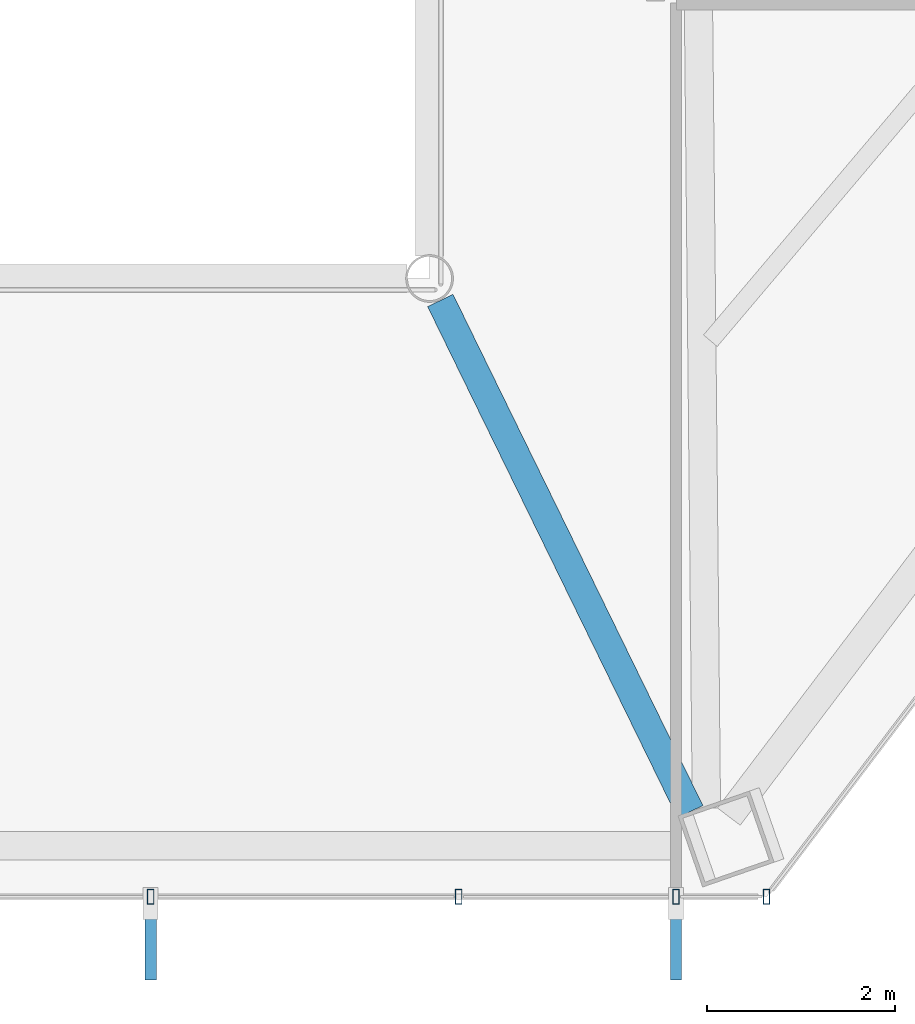
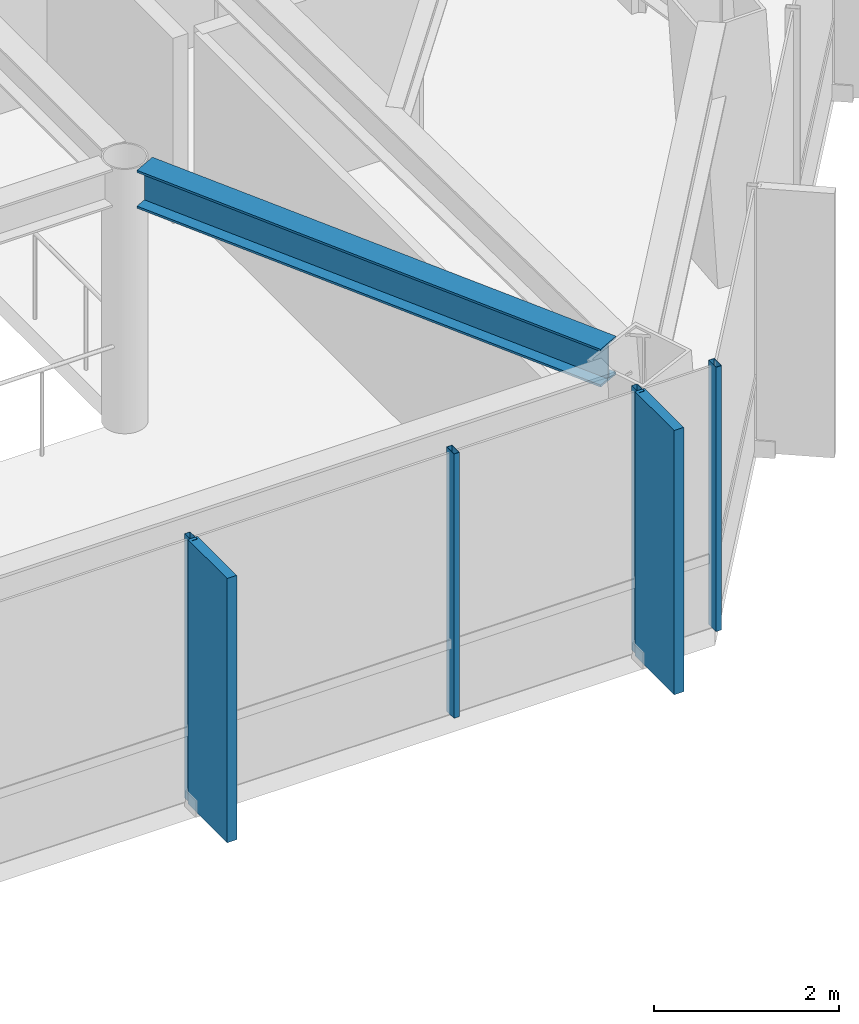
# One storey, part 8 of 28: 6 members, 1 beam, 1 element without a shape of its own.
"""IFC4 building model written with IfcOpenShell, lengths in metres."""

from ifc_helpers import new_model, si_unit, direction, frame, origin, origin_2d, place, context, subcontext, project, spatial, rectangle, hollow_rectangle, i_section, extrude, material, layer, layer_set, material_profile, profile_set, type_object, element, aggregate, save


model = new_model("IFC4")

# Units and contexts
model_context = context("Model", 3, precision=1e-05, world=origin(), true_north=direction((0.0, 1.0)))
body_context = subcontext(model_context, "Body", "Model", "MODEL_VIEW")
ifc_project = project(units=[si_unit("LENGTHUNIT", "METRE"), si_unit("AREAUNIT", "SQUARE_METRE"), si_unit("VOLUMEUNIT", "CUBIC_METRE"), si_unit("PLANEANGLEUNIT", "RADIAN"), si_unit("MASSUNIT", "GRAM", prefix="KILO")], contexts=[model_context])

# Site, building, storey
site_placement = place(None, origin())
site = spatial("IfcSite", under=ifc_project, at=site_placement, CompositionType="ELEMENT")
building_placement = place(site_placement, origin())
building = spatial("IfcBuilding", under=site, at=building_placement, Name="Zarrinselat Tower", CompositionType="ELEMENT")
storey_placement = place(building_placement, frame((0.0, 0.0, 153.340087890625)))
storey = spatial("IfcBuildingStorey", under=building, at=storey_placement, Name="L37", CompositionType="ELEMENT", Elevation=153.340087890625)

# Beam
ifc_material_1 = material(Name="Steel S355J2", Category="steel")
ifc_material_profile_1 = material_profile(ifc_material_1, i_section(OverallWidth=0.300048828125, OverallDepth=0.5, WebThickness=0.014404296875, FlangeThickness=0.028076171875, at=origin_2d()), Name="HEB 500")
ifc_profile_set_1 = profile_set([ifc_material_profile_1], Name="Steel S355J2")
beam_type = type_object("IfcBeamType", Name="BM-HEB500", PredefinedType="BEAM", material=ifc_profile_set_1)
beam_placement = place(storey_placement, frame((45.769287109375, 18.734619140625, 3.239990234375), z_axis=(-0.439135534001, 0.898420827217, 0.0), x_axis=(-0.898420827217, -0.439135534001, 0.0)))
element("IfcBeam", 1, at=beam_placement, inside=storey, type_object=beam_type, Name="L37 Sky Garden Terrace Girder 2", PredefinedType="BEAM", context=body_context, shape_type="SweptSolid", body=[
    extrude(i_section(OverallWidth=0.300048828125, OverallDepth=0.5, WebThickness=0.014404296875, FlangeThickness=0.028076171875, at=origin_2d()), origin(), (0.0, 0.0, 1.0), 6.046142578125),
])

# Curtain wall, members
ifc_material_2 = material(Name="Extruded Aluminium Alloy EN AW-6063 T6", Category="aluminium")
ifc_layer = layer(ifc_material_2, 0.175048828125)
ifc_layer_set = layer_set([ifc_layer], Name="Extruded Aluminium Alloy EN AW-6063 T6")
curtain_wall_type = type_object("IfcCurtainWallType", Name="CWS-HTL", PredefinedType="NOTDEFINED", material=ifc_layer_set)
curtain_wall_placement = place(storey_placement, origin())
curtain_wall = element("IfcCurtainWall", 2, at=curtain_wall_placement, inside=storey, type_object=curtain_wall_type, Name="L37 Unitised Curtain Wall CW-L37-E04", PredefinedType="NOTDEFINED")
ifc_material_3 = material(Name="Extruded Aluminium Alloy EN AW-6063 T6", Category="aluminium")
ifc_material_profile_2 = material_profile(ifc_material_3, hollow_rectangle(XDim=0.070068359375, YDim=0.159912109375, WallThickness=0.00390625, at=origin_2d()), Name="RHS 160x70x4")
ifc_profile_set_2 = profile_set([ifc_material_profile_2], Name="Extruded Aluminium Alloy EN AW-6063 T6")
member_type_1 = type_object("IfcMemberType", Name="MEM-CW-MUL2", PredefinedType="MULLION", material=ifc_profile_set_2)
member_1_placement = place(storey_placement, frame((40.0361328125, 17.83154296875, 0.0), z_axis=(0.0, 0.0, 1.0), x_axis=(1.0, 0.0, 0.0)))
member_1 = element("IfcMember", 3, at=member_1_placement, type_object=member_type_1, Name="CW-L37-E04 Mullion 3", PredefinedType="MULLION", context=body_context, shape_type="SweptSolid", body=[
    extrude(hollow_rectangle(XDim=0.070068359375, YDim=0.159912109375, WallThickness=0.00390625, at=origin_2d()), origin(), (0.0, 0.0, 1.0), 3.489990234375),
])
member_2_placement = place(storey_placement, frame((43.308349609375, 17.83154296875, 0.0), z_axis=(0.0, 0.0, 1.0), x_axis=(1.0, 0.0, 0.0)))
member_2 = element("IfcMember", 4, at=member_2_placement, type_object=member_type_1, Name="CW-L37-E04 Mullion 4", PredefinedType="MULLION", context=body_context, shape_type="SweptSolid", body=[
    extrude(hollow_rectangle(XDim=0.070068359375, YDim=0.159912109375, WallThickness=0.00390625, at=origin_2d()), origin(), (0.0, 0.0, 1.0), 3.489990234375),
])
member_3_placement = place(storey_placement, frame((45.61865234375, 17.83154296875, 0.0), z_axis=(0.0, 0.0, 1.0), x_axis=(1.0, 0.0, 0.0)))
member_3 = element("IfcMember", 5, at=member_3_placement, type_object=member_type_1, Name="CW-L37-E04 Mullion 5", PredefinedType="MULLION", context=body_context, shape_type="SweptSolid", body=[
    extrude(hollow_rectangle(XDim=0.070068359375, YDim=0.159912109375, WallThickness=0.00390625, at=origin_2d()), origin(), (0.0, 0.0, 1.0), 3.489990234375),
])
member_4_placement = place(storey_placement, frame((46.58056640625, 17.83154296875, 0.0), z_axis=(0.0, 0.0, 1.0), x_axis=(1.0, 0.0, 0.0)))
member_4 = element("IfcMember", 6, at=member_4_placement, type_object=member_type_1, Name="CW-L37-E04 Mullion 6", PredefinedType="MULLION", context=body_context, shape_type="SweptSolid", body=[
    extrude(hollow_rectangle(XDim=0.070068359375, YDim=0.159912109375, WallThickness=0.00390625, at=origin_2d()), origin(), (0.0, 0.0, 1.0), 3.489990234375),
])
ifc_material_4 = material(Name="Honed Cream Travertine Stone", Category="masonry")
ifc_material_profile_3 = material_profile(ifc_material_4, rectangle(XDim=0.1201171875, YDim=0.85009765625, at=origin_2d()), Name="FIN 850x120")
ifc_profile_set_3 = profile_set([ifc_material_profile_3], Name="Honed Cream Travertine Stone")
member_type_2 = type_object("IfcMemberType", Name="MEM-STONE-FIN", PredefinedType="USERDEFINED", material=ifc_profile_set_3)
member_5_placement = place(storey_placement, frame((40.0361328125, 17.37158203125, 0.0), z_axis=(0.0, 0.0, 1.0), x_axis=(-1.0, 0.0, 0.0)))
member_5 = element("IfcMember", 7, at=member_5_placement, type_object=member_type_2, Name="L37 Stone Shading Fin CW-L37-E04-03", ObjectType="FIN", PredefinedType="USERDEFINED", context=body_context, shape_type="SweptSolid", body=[
    extrude(rectangle(XDim=0.1201171875, YDim=0.85009765625, at=origin_2d()), origin(), (0.0, 0.0, 1.0), 3.489990234375),
])
member_6_placement = place(storey_placement, frame((45.61865234375, 17.37158203125, 0.0), z_axis=(0.0, 0.0, 1.0), x_axis=(-1.0, 0.0, 0.0)))
member_6 = element("IfcMember", 8, at=member_6_placement, type_object=member_type_2, Name="L37 Stone Shading Fin CW-L37-E04-05", ObjectType="FIN", PredefinedType="USERDEFINED", context=body_context, shape_type="SweptSolid", body=[
    extrude(rectangle(XDim=0.1201171875, YDim=0.85009765625, at=origin_2d()), origin(), (0.0, 0.0, 1.0), 3.489990234375),
])
aggregate(curtain_wall, [member_1, member_5, member_2, member_3, member_6, member_4])

save(model, "model.ifc")
